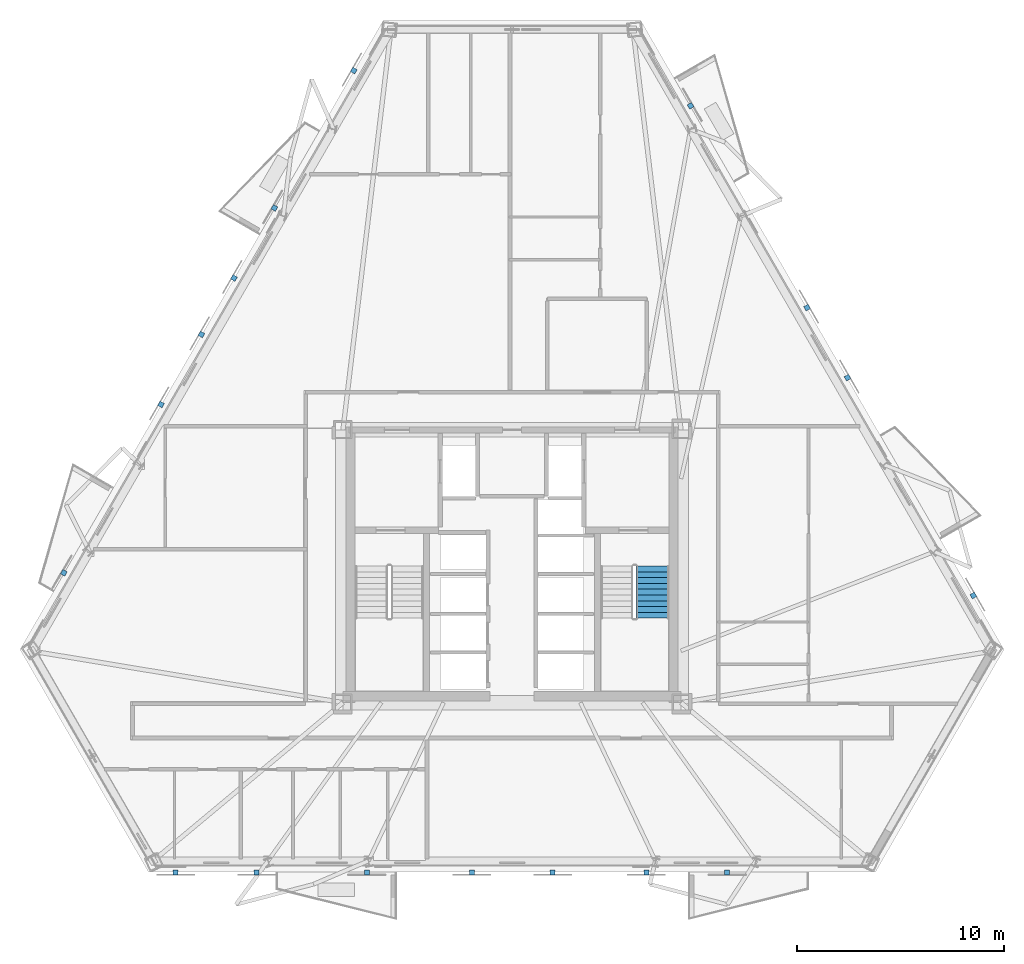
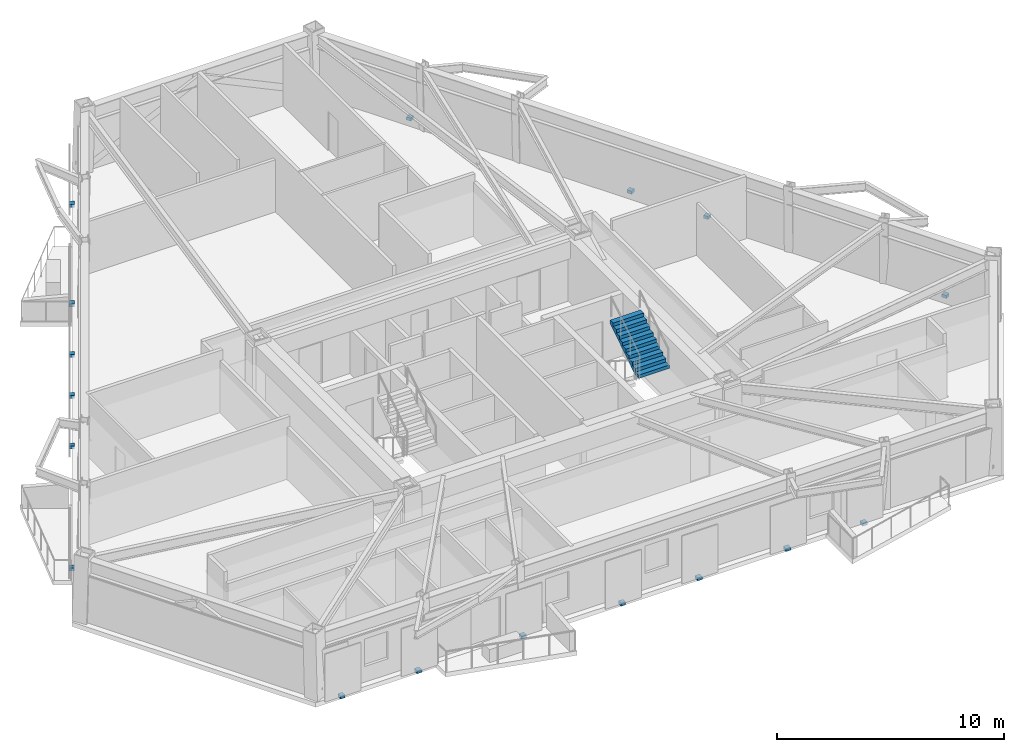
# One storey, part 6 of 10: 17 discrete accessories, 1 stair flight, 1 element without a shape of its own.
"""IFC4 building model written with IfcOpenShell, lengths in metres."""

from ifc_helpers import new_model, si_unit, direction, frame, origin, origin_2d, place, context, subcontext, project, spatial, polyline, rectangle, outline, extrude, material, type_object, element, aggregate, save


model = new_model("IFC4")

# Units and contexts
model_context = context("Model", 3, precision=1e-05, world=origin(), true_north=direction((0.0, 1.0)))
body_context = subcontext(model_context, "Body", "Model", "MODEL_VIEW")
ifc_project = project(units=[si_unit("LENGTHUNIT", "METRE"), si_unit("AREAUNIT", "SQUARE_METRE"), si_unit("VOLUMEUNIT", "CUBIC_METRE"), si_unit("PLANEANGLEUNIT", "RADIAN"), si_unit("MASSUNIT", "GRAM", prefix="KILO")], contexts=[model_context])

# Site, building, storey
site_placement = place(None, origin())
site = spatial("IfcSite", under=ifc_project, at=site_placement, CompositionType="ELEMENT")
building_placement = place(site_placement, origin())
building = spatial("IfcBuilding", under=site, at=building_placement, Name="Oramaril Tower", CompositionType="ELEMENT")
storey_placement = place(building_placement, frame((0.0, 0.0, 100.5)))
storey = spatial("IfcBuildingStorey", under=building, at=storey_placement, Name="L26", CompositionType="ELEMENT", Elevation=100.5)

# Stair, stair flight
ifc_material_1 = material(Name="Concrete C50/60", Category="concrete")
stair_type = type_object("IfcStairType", Name="STT-DG-3600", PredefinedType="HALF_TURN_STAIR", material=ifc_material_1)
stair_placement = place(storey_placement, origin())
stair = element("IfcStair", 1, at=stair_placement, inside=storey, type_object=stair_type, Name="L26 Protected PFP Exit Stair ST-2", PredefinedType="HALF_TURN_STAIR")
ifc_material_2 = material(Name="Concrete C50/60", Category="concrete")
stair_flight_type = type_object("IfcStairFlightType", Name="SFT-DG-3600", PredefinedType="STRAIGHT", material=ifc_material_2)
stair_flight_placement = place(storey_placement, frame((44.27001953125, 15.070068359375, 1.800048828125), z_axis=(0.0, 0.0, 1.0), x_axis=(0.0, 1.0, 0.0)))
stair_flight = element("IfcStairFlight", 2, at=stair_flight_placement, type_object=stair_flight_type, Name="ST-2 flight 2", NumberOfRisers=10, NumberOfTreads=9, PredefinedType="STRAIGHT", RiserHeight=0.18, TreadLength=0.28, context=body_context, shape_type="SweptSolid", body=[
    extrude(outline(polyline([(0.0, 0.0), (0.0, 0.179931640625), (0.280029296875, 0.179931640625), (0.280029296875, 0.360107421875), (0.56005859375, 0.360107421875), (0.56005859375, 0.5400390625), (0.840087890625, 0.5400390625), (0.840087890625, 0.719970703125), (1.1201171875, 0.719970703125), (1.1201171875, 0.89990234375), (1.39990234375, 0.89990234375), (1.39990234375, 1.080078125), (1.679931640625, 1.080078125), (1.679931640625, 1.260009765625), (1.9599609375, 1.260009765625), (1.9599609375, 1.43994140625), (2.239990234375, 1.43994140625), (2.239990234375, 1.6201171875), (2.52001953125, 1.6201171875), (2.52001953125, 1.800048828125), (2.52001953125, 1.44189453125), (0.277099609375, 0.0), (0.0, 0.0)])), frame((0.0, 0.780029296875, 0.0), z_axis=(0.0, -1.0, 0.0), x_axis=(1.0, 0.0, 0.0)), (0.0, 0.0, 1.0), 1.56005859375),
])
aggregate(stair, [stair_flight])

# Discrete accessories
for number, where, z_axis, x_axis, name in (
    (3, (35.56298828125, 2.806396484375, -0.14013671875), (0.0, 0.0, 1.0), (1.0, 0.0, 0.0), "L26 Solar Screen Slab Bracket"),
    (4, (39.462890625, 2.806396484375, -0.14013671875), (0.0, 0.0, 1.0), (1.0, 0.0, 0.0), "L26 Solar Screen Slab Bracket"),
    (5, (43.97412109375, 2.806396484375, -0.14013671875), (0.0, 0.0, 1.0), (1.0, 0.0, 0.0), "L26 Solar Screen Slab Bracket"),
    (6, (47.8740234375, 2.806396484375, -0.14013671875), (0.0, 0.0, 1.0), (1.0, 0.0, 0.0), "L26 Solar Screen Slab Bracket"),
    (7, (21.281982421875, 2.806396484375, -0.14013671875), (0.0, 0.0, 1.0), (1.0, 0.0, 0.0), "L26 Solar Screen Slab Bracket"),
    (8, (25.181884765625, 2.806396484375, -0.14013671875), (0.0, 0.0, 1.0), (1.0, 0.0, 0.0), "L26 Solar Screen Slab Bracket"),
    (9, (30.5048828125, 2.806396484375, -0.14013671875), (0.0, 0.0, 1.0), (1.0, 0.0, 0.0), "L26 Solar Screen Slab Bracket"),
    (10, (59.742431640625, 16.162353515625, -0.14013671875), (0.0, 0.0, 1.0), (-0.5, 0.866025403784, 0.0), "L26 Solar Screen Slab Bracket"),
    (11, (53.67724609375, 26.66748046875, -0.14013671875), (0.0, 0.0, 1.0), (-0.5, 0.866025403784, 0.0), "L26 Solar Screen Slab Bracket"),
    (12, (51.727294921875, 30.045166015625, -0.14013671875), (0.0, 0.0, 1.0), (-0.5, 0.866025403784, 0.0), "L26 Solar Screen Slab Bracket"),
    (13, (46.109619140625, 39.775146484375, -0.14013671875), (0.0, 0.0, 1.0), (-0.5, 0.866025403784, 0.0), "L26 Solar Screen Slab Bracket"),
    (14, (15.8916015625, 17.260498046875, -0.14013671875), (0.0, 0.0, 1.0), (-0.5, -0.866025403784, 0.0), "L26 Solar Screen Slab Bracket"),
    (15, (26.04638671875, 34.84912109375, -0.14013671875), (0.0, 0.0, 1.0), (-0.5, -0.866025403784, 0.0), "L26 Solar Screen Slab Bracket"),
    (16, (24.09619140625, 31.471435546875, -0.14013671875), (0.0, 0.0, 1.0), (-0.5, -0.866025403784, 0.0), "L26 Solar Screen Slab Bracket"),
    (17, (22.5263671875, 28.752197265625, -0.14013671875), (0.0, 0.0, 1.0), (-0.5, -0.866025403784, 0.0), "L26 Solar Screen Slab Bracket"),
    (18, (20.576416015625, 25.37451171875, -0.14013671875), (0.0, 0.0, 1.0), (-0.5, -0.866025403784, 0.0), "L26 Solar Screen Slab Bracket"),
    (19, (29.87109375, 41.4736328125, -0.14013671875), (0.0, 0.0, 1.0), (-0.5, -0.866025403784, 0.0), "L26 Solar Screen Slab Bracket"),
):
    element("IfcDiscreteAccessory", number, at=place(storey_placement, frame(where, z_axis=z_axis, x_axis=x_axis)), inside=storey, Name=name, PredefinedType="BRACKET", context=body_context, shape_type="SweptSolid", body=[
        extrude(rectangle(XDim=0.239990234375, YDim=0.239990234375, at=origin_2d()), origin(), (0.0, 0.0, 1.0), 0.159912109375),
    ])

save(model, "model.ifc")
